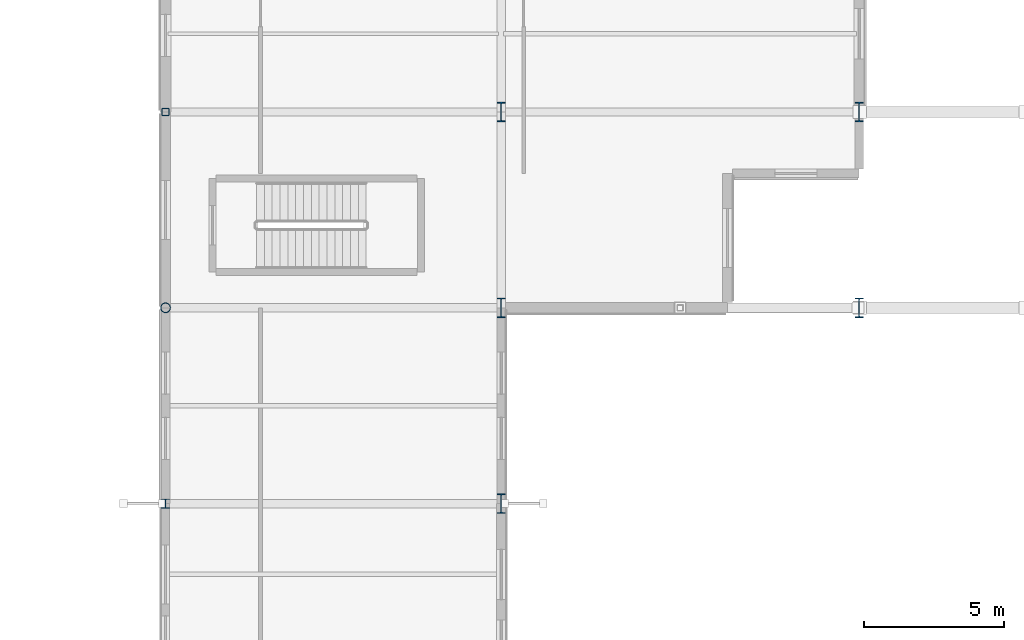
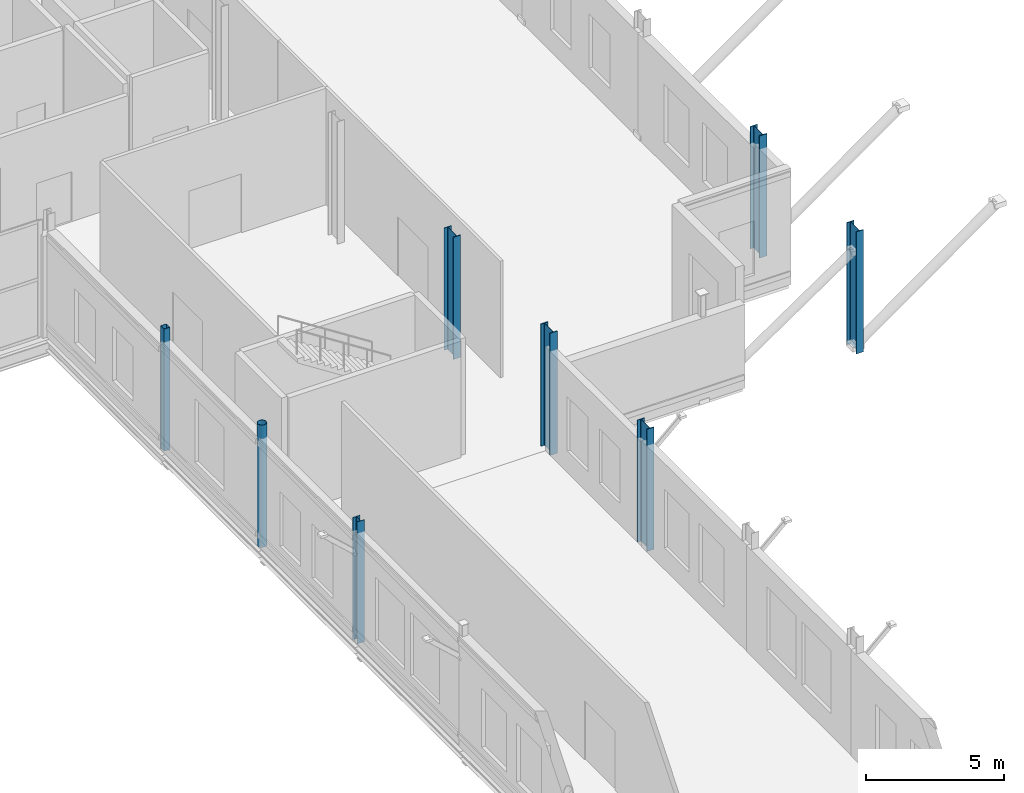
# One storey, part 17 of 147: 8 columns.
"""IFC4 building model written with IfcOpenShell, lengths in metres."""

from ifc_helpers import new_model, si_unit, direction, frame, origin, origin_2d, place, context, subcontext, project, spatial, hollow_rectangle, hollow_circle, i_section, extrude, material, material_profile, profile_set, type_object, element, save


model = new_model("IFC4")

# Units and contexts
model_context = context("Model", 3, precision=1e-05, world=origin(), true_north=direction((0.0, 1.0)))
body_context = subcontext(model_context, "Body", "Model", "MODEL_VIEW")
ifc_project = project(units=[si_unit("LENGTHUNIT", "METRE"), si_unit("AREAUNIT", "SQUARE_METRE"), si_unit("VOLUMEUNIT", "CUBIC_METRE"), si_unit("PLANEANGLEUNIT", "RADIAN"), si_unit("MASSUNIT", "GRAM", prefix="KILO")], contexts=[model_context])

# Site, building, storey
site_placement = place(None, origin())
site = spatial("IfcSite", under=ifc_project, at=site_placement, CompositionType="ELEMENT")
building_placement = place(site_placement, origin())
building = spatial("IfcBuilding", under=site, at=building_placement, Name="Vekula Escarpment Museum", CompositionType="ELEMENT")
storey_placement = place(building_placement, frame((0.0, 0.0, 7.800048828125)))
storey = spatial("IfcBuildingStorey", under=building, at=storey_placement, Name="L02", CompositionType="ELEMENT", Elevation=7.800048828125)

# Columns
ifc_material_1 = material(Name="Steel S355", Category="steel")
ifc_material_profile_1 = material_profile(ifc_material_1, hollow_circle(Radius=0.177734375, WallThickness=0.01611328125, at=origin_2d()), Name="CHS 355.6x16")
ifc_profile_set_1 = profile_set([ifc_material_profile_1], Name="Steel S355")
column_type_1 = type_object("IfcColumnType", Name="COL-S-CHS355", PredefinedType="COLUMN", material=ifc_profile_set_1)
column_1_placement = place(storey_placement, frame((167.0, 52.60009765625, 0.0), z_axis=(0.0, 0.0, 1.0), x_axis=(1.0, 0.0, 0.0)))
element("IfcColumn", 1, at=column_1_placement, inside=storey, type_object=column_type_1, Name="Column L02 (167.0,52.6)", PredefinedType="COLUMN", context=body_context, shape_type="SweptSolid", body=[
    extrude(hollow_circle(Radius=0.177734375, WallThickness=0.01611328125, at=origin_2d()), origin(), (0.0, 0.0, 1.0), 5.39990234375),
])
ifc_material_2 = material(Name="Steel S355", Category="steel")
ifc_material_profile_2 = material_profile(ifc_material_2, i_section(OverallWidth=0.300048828125, OverallDepth=0.330078125, WebThickness=0.009521484375, FlangeThickness=0.0166015625, FilletRadius=0.027099609375, at=origin_2d()), Name="HEA 340")
ifc_profile_set_2 = profile_set([ifc_material_profile_2], Name="Steel S355")
column_type_2 = type_object("IfcColumnType", Name="COL-S-HEA340", PredefinedType="COLUMN", material=ifc_profile_set_2)
column_2_placement = place(storey_placement, frame((167.0, 45.60009765625, 0.0), z_axis=(0.0, 0.0, 1.0), x_axis=(1.0, 0.0, 0.0)))
element("IfcColumn", 2, at=column_2_placement, inside=storey, type_object=column_type_2, Name="Column L02 (167.0,45.6)", PredefinedType="COLUMN", context=body_context, shape_type="SweptSolid", body=[
    extrude(i_section(OverallWidth=0.300048828125, OverallDepth=0.330078125, WebThickness=0.009521484375, FlangeThickness=0.0166015625, FilletRadius=0.027099609375, at=origin_2d()), origin(), (0.0, 0.0, 1.0), 5.39990234375),
])
ifc_material_3 = material(Name="Steel S355", Category="steel")
ifc_material_profile_3 = material_profile(ifc_material_3, i_section(OverallWidth=0.300048828125, OverallDepth=0.699951171875, WebThickness=0.01708984375, FlangeThickness=0.031982421875, FilletRadius=0.027099609375, at=origin_2d()), Name="HEB 700")
ifc_profile_set_3 = profile_set([ifc_material_profile_3], Name="Steel S355")
column_type_3 = type_object("IfcColumnType", Name="COL-S-HEB700", PredefinedType="COLUMN", material=ifc_profile_set_3)
for number, where, z_axis, x_axis, name in (
    (3, (179.0, 45.60009765625, 0.0), (0.0, 0.0, 1.0), (1.0, 0.0, 0.0), "Column L02 (179.0,45.6)"),
    (4, (179.0, 52.60009765625, 0.0), (0.0, 0.0, 1.0), (1.0, 0.0, 0.0), "Column L02 (179.0,52.6)"),
    (5, (179.0, 59.60009765625, 0.0), (0.0, 0.0, 1.0), (1.0, 0.0, 0.0), "Column L02 (179.0,59.6)"),
    (6, (191.800048828125, 52.60009765625, 0.0), (0.0, 0.0, 1.0), (1.0, 0.0, 0.0), "Column L02 (191.8,52.6)"),
    (7, (191.800048828125, 59.60009765625, 0.0), (0.0, 0.0, 1.0), (1.0, 0.0, 0.0), "Column L02 (191.8,59.6)"),
):
    element("IfcColumn", number, at=place(storey_placement, frame(where, z_axis=z_axis, x_axis=x_axis)), inside=storey, type_object=column_type_3, Name=name, PredefinedType="COLUMN", context=body_context, shape_type="SweptSolid", body=[
        extrude(i_section(OverallWidth=0.300048828125, OverallDepth=0.699951171875, WebThickness=0.01708984375, FlangeThickness=0.031982421875, FilletRadius=0.027099609375, at=origin_2d()), origin(), (0.0, 0.0, 1.0), 5.39990234375),
    ])
ifc_material_4 = material(Name="Steel S355", Category="steel")
ifc_material_profile_4 = material_profile(ifc_material_4, hollow_rectangle(XDim=0.260009765625, YDim=0.260009765625, WallThickness=0.012451171875, InnerFilletRadius=0.012451171875, OuterFilletRadius=0.02490234375, at=origin_2d()), Name="SHS 260x260x12.5")
ifc_profile_set_4 = profile_set([ifc_material_profile_4], Name="Steel S355")
column_type_4 = type_object("IfcColumnType", Name="COL-S-SHS260", PredefinedType="COLUMN", material=ifc_profile_set_4)
column_3_placement = place(storey_placement, frame((167.0, 59.60009765625, 0.0), z_axis=(0.0, 0.0, 1.0), x_axis=(1.0, 0.0, 0.0)))
element("IfcColumn", 8, at=column_3_placement, inside=storey, type_object=column_type_4, Name="Column L02 (167.0,59.6)", PredefinedType="COLUMN", context=body_context, shape_type="SweptSolid", body=[
    extrude(hollow_rectangle(XDim=0.260009765625, YDim=0.260009765625, WallThickness=0.012451171875, InnerFilletRadius=0.012451171875, OuterFilletRadius=0.02490234375, at=origin_2d()), origin(), (0.0, 0.0, 1.0), 5.39990234375),
])

save(model, "model.ifc")
